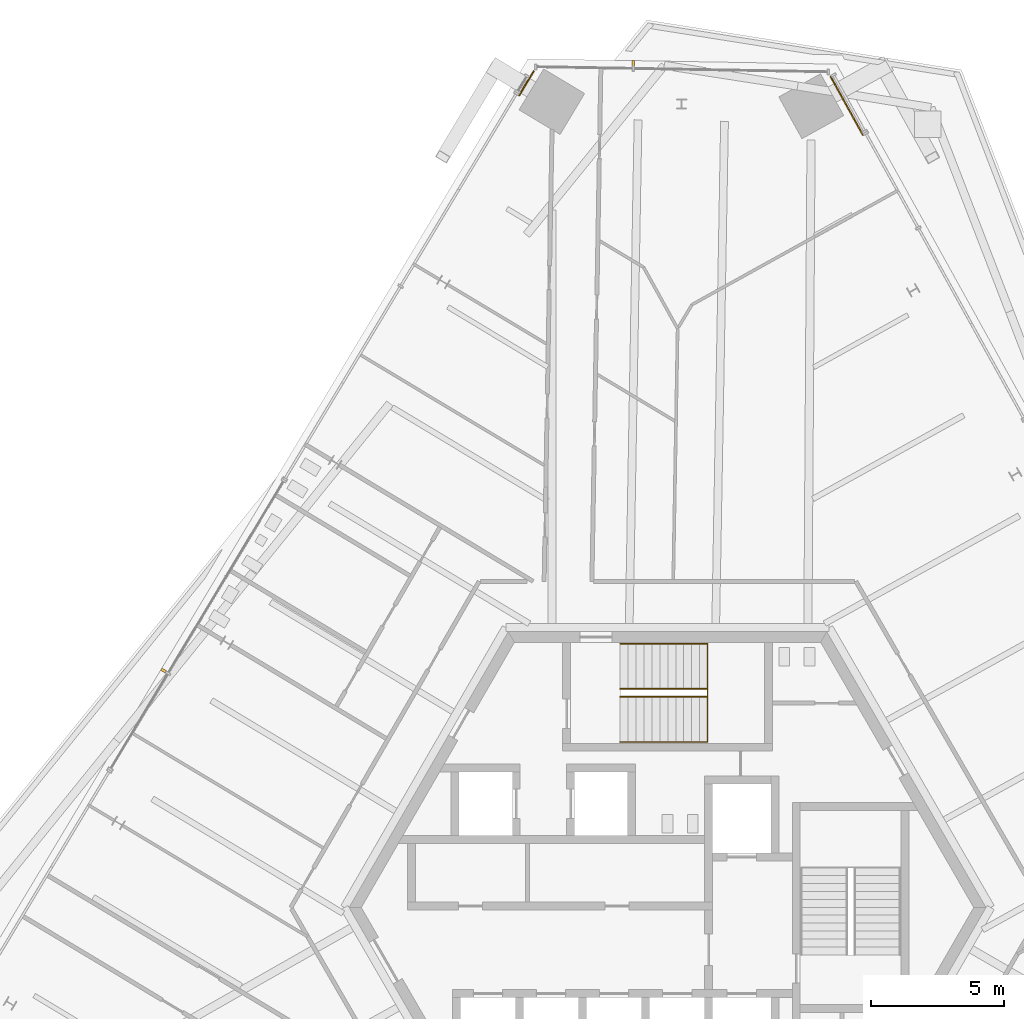
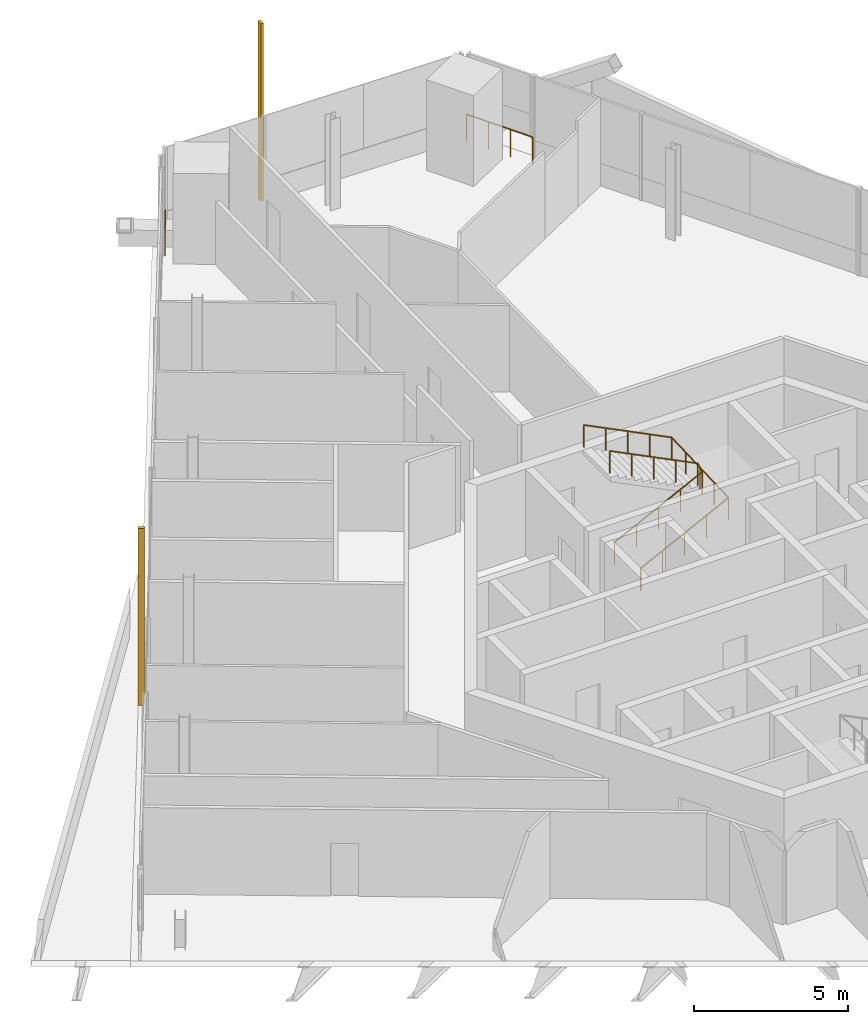
# One storey, part 21 of 22: 4 railings, 2 shading devices.
"""IFC4 building model written with IfcOpenShell, lengths in metres."""

from ifc_helpers import new_model, si_unit, direction, frame, origin, origin_2d, place, context, subcontext, project, spatial, rectangle, circle, extrude, source, transform, mapped, material, type_object, element, save


model = new_model("IFC4")

# Units and contexts
model_context = context("Model", 3, precision=1e-05, world=origin(), true_north=direction((0.0, 1.0)))
body_context = subcontext(model_context, "Body", "Model", "MODEL_VIEW")
ifc_project = project(units=[si_unit("LENGTHUNIT", "METRE"), si_unit("AREAUNIT", "SQUARE_METRE"), si_unit("VOLUMEUNIT", "CUBIC_METRE"), si_unit("PLANEANGLEUNIT", "RADIAN"), si_unit("MASSUNIT", "GRAM", prefix="KILO")], contexts=[model_context])

# Site, building, storey
site_placement = place(None, origin())
site = spatial("IfcSite", under=ifc_project, at=site_placement, CompositionType="ELEMENT")
building_placement = place(site_placement, origin())
building = spatial("IfcBuilding", under=site, at=building_placement, Name="Triune Harvest Tower", CompositionType="ELEMENT")
storey_placement = place(building_placement, frame((0.0, 0.0, 179.89990234375)))
storey = spatial("IfcBuildingStorey", under=building, at=storey_placement, Name="L46", CompositionType="ELEMENT", Elevation=179.89990234375)

# Railings
ifc_material_1 = material(Name="Glass", Category="glass")
railing_type_1 = type_object("IfcRailingType", Name="GD-3 facade guard 1100", PredefinedType="GUARDRAIL", material=ifc_material_1)
railing_1_placement = place(storey_placement, frame((7.3603515625, 29.11572265625, 0.0)))
element("IfcRailing", 1, at=railing_1_placement, inside=storey, type_object=railing_type_1, Name="Facade guard B5-F1 L46.1.2", PredefinedType="GUARDRAIL", context=body_context, shape_type="SweptSolid", body=[
    extrude(circle(Radius=0.02392578125, at=origin_2d()), frame((0.0, 0.0, 1.076171875), z_axis=(-0.484833134786, 0.874606672404, 0.0), x_axis=(-0.874606672404, -0.484833134786, 0.0)), (0.0, 0.0, 1.0), 2.50927734375),
    extrude(circle(Radius=0.02099609375, at=origin_2d()), origin(), (0.0, 0.0, 1.0), 1.052001953125),
    extrude(circle(Radius=0.02099609375, at=origin_2d()), frame((-0.405517578125, 0.7314453125, 0.0)), (0.0, 0.0, 1.0), 1.052001953125),
    extrude(circle(Radius=0.02099609375, at=origin_2d()), frame((-0.81103515625, 1.463134765625, 0.0)), (0.0, 0.0, 1.0), 1.052001953125),
    extrude(circle(Radius=0.02099609375, at=origin_2d()), frame((-1.216552734375, 2.194580078125, 0.0)), (0.0, 0.0, 1.0), 1.052001953125),
])
ifc_material_2 = material(Name="Stainless steel AISI 316", Category="steel")
railing_type_2 = type_object("IfcRailingType", Name="Stair handrail", PredefinedType="HANDRAIL", material=ifc_material_2)
shared_shape_1 = source(origin(), body_context, "Body", "SweptSolid", [
    extrude(circle(Radius=0.02392578125, at=origin_2d()), frame((0.0, 0.0, 0.8759765625), z_axis=(0.894440424912, 0.0, 0.447187126696), x_axis=(0.0, 1.0, 0.0)), (0.0, 0.0, 1.0), 3.689453125),
    extrude(circle(Radius=0.02392578125, at=origin_2d()), frame((3.300048828125, 0.0, 2.52587890625), z_axis=(0.0, 0.999177620331, 0.040547293732), x_axis=(-1.0, 0.0, 0.0)), (0.0, 0.0, 1.0), 3.702880859375),
    extrude(circle(Radius=0.02392578125, at=origin_2d()), frame((3.300048828125, 3.699951171875, 2.67578125), z_axis=(-0.894440424912, 0.0, 0.447187126696), x_axis=(0.0, -1.0, 0.0)), (0.0, 0.0, 1.0), 3.689453125),
    extrude(circle(Radius=0.02099609375, at=origin_2d()), origin(), (0.0, 0.0, 1.0), 0.851806640625),
    extrude(circle(Radius=0.02099609375, at=origin_2d()), frame((0.824951171875, 0.0, 0.41259765625)), (0.0, 0.0, 1.0), 0.851806640625),
    extrude(circle(Radius=0.02099609375, at=origin_2d()), frame((1.64990234375, 0.0, 0.824951171875)), (0.0, 0.0, 1.0), 0.851806640625),
    extrude(circle(Radius=0.02099609375, at=origin_2d()), frame((2.47509765625, 0.0, 1.2373046875)), (0.0, 0.0, 1.0), 0.851806640625),
    extrude(circle(Radius=0.02099609375, at=origin_2d()), frame((3.300048828125, 0.0, 1.64990234375)), (0.0, 0.0, 1.0), 0.851806640625),
    extrude(circle(Radius=0.02099609375, at=origin_2d()), frame((3.300048828125, 0.925048828125, 1.6875)), (0.0, 0.0, 1.0), 0.851806640625),
    extrude(circle(Radius=0.02099609375, at=origin_2d()), frame((3.300048828125, 1.85009765625, 1.72509765625)), (0.0, 0.0, 1.0), 0.851806640625),
    extrude(circle(Radius=0.02099609375, at=origin_2d()), frame((3.300048828125, 2.77490234375, 1.762451171875)), (0.0, 0.0, 1.0), 0.851806640625),
    extrude(circle(Radius=0.02099609375, at=origin_2d()), frame((3.300048828125, 3.699951171875, 1.800048828125)), (0.0, 0.0, 1.0), 0.851806640625),
    extrude(circle(Radius=0.02099609375, at=origin_2d()), frame((2.47509765625, 3.699951171875, 2.21240234375)), (0.0, 0.0, 1.0), 0.851806640625),
    extrude(circle(Radius=0.02099609375, at=origin_2d()), frame((1.64990234375, 3.699951171875, 2.625)), (0.0, 0.0, 1.0), 0.851806640625),
    extrude(circle(Radius=0.02099609375, at=origin_2d()), frame((0.824951171875, 3.699951171875, 3.03759765625)), (0.0, 0.0, 1.0), 0.851806640625),
    extrude(circle(Radius=0.02099609375, at=origin_2d()), frame((0.0, 3.699951171875, 3.449951171875)), (0.0, 0.0, 1.0), 0.851806640625),
])
railing_2_placement = place(storey_placement, frame((-1.7900390625, 6.239990234375, 0.150146484375)))
element("IfcRailing", 2, at=railing_2_placement, inside=storey, type_object=railing_type_2, Name="Exit stair north wall handrail", PredefinedType="HANDRAIL", context=body_context, shape_type="MappedRepresentation", body=[
    mapped(shared_shape_1, transform((0.0, 0.0, 0.0), scale=1.0)),
])
shared_shape_2 = source(origin(), body_context, "Body", "SweptSolid", [
    extrude(circle(Radius=0.02392578125, at=origin_2d()), frame((0.0, 0.0, 0.8759765625), z_axis=(0.894440424912, 0.0, 0.447187126696), x_axis=(0.0, 1.0, 0.0)), (0.0, 0.0, 1.0), 3.689453125),
    extrude(circle(Radius=0.02392578125, at=origin_2d()), frame((3.300048828125, 0.0, 2.52587890625), z_axis=(0.0, 0.894281613681, 0.447504631744), x_axis=(-1.0, 0.0, 0.0)), (0.0, 0.0, 1.0), 0.33544921875),
    extrude(circle(Radius=0.02392578125, at=origin_2d()), frame((3.300048828125, 0.300048828125, 2.67578125), z_axis=(-0.894440424912, 0.0, 0.447187126696), x_axis=(0.0, -1.0, 0.0)), (0.0, 0.0, 1.0), 3.689453125),
    extrude(circle(Radius=0.02099609375, at=origin_2d()), origin(), (0.0, 0.0, 1.0), 0.851806640625),
    extrude(circle(Radius=0.02099609375, at=origin_2d()), frame((0.824951171875, 0.0, 0.41259765625)), (0.0, 0.0, 1.0), 0.851806640625),
    extrude(circle(Radius=0.02099609375, at=origin_2d()), frame((1.64990234375, 0.0, 0.824951171875)), (0.0, 0.0, 1.0), 0.851806640625),
    extrude(circle(Radius=0.02099609375, at=origin_2d()), frame((2.47509765625, 0.0, 1.2373046875)), (0.0, 0.0, 1.0), 0.851806640625),
    extrude(circle(Radius=0.02099609375, at=origin_2d()), frame((3.300048828125, 0.0, 1.64990234375)), (0.0, 0.0, 1.0), 0.851806640625),
    extrude(circle(Radius=0.02099609375, at=origin_2d()), frame((3.300048828125, 0.300048828125, 1.800048828125)), (0.0, 0.0, 1.0), 0.851806640625),
    extrude(circle(Radius=0.02099609375, at=origin_2d()), frame((2.47509765625, 0.300048828125, 2.21240234375)), (0.0, 0.0, 1.0), 0.851806640625),
    extrude(circle(Radius=0.02099609375, at=origin_2d()), frame((1.64990234375, 0.300048828125, 2.625)), (0.0, 0.0, 1.0), 0.851806640625),
    extrude(circle(Radius=0.02099609375, at=origin_2d()), frame((0.824951171875, 0.300048828125, 3.03759765625)), (0.0, 0.0, 1.0), 0.851806640625),
    extrude(circle(Radius=0.02099609375, at=origin_2d()), frame((0.0, 0.300048828125, 3.449951171875)), (0.0, 0.0, 1.0), 0.851806640625),
])
railing_3_placement = place(storey_placement, frame((-1.7900390625, 7.93994140625, 0.150146484375)))
element("IfcRailing", 3, at=railing_3_placement, inside=storey, type_object=railing_type_2, Name="Exit stair north centre handrail", PredefinedType="HANDRAIL", context=body_context, shape_type="MappedRepresentation", body=[
    mapped(shared_shape_2, transform((0.0, 0.0, 0.0), scale=1.0)),
])

# Shading devices
ifc_material_3 = material(Name="Aluminium bronze anodised", Category="aluminium")
shared_shape_3 = source(origin(), body_context, "Body", "SweptSolid", [
    extrude(rectangle(XDim=0.10009765625, YDim=0.199951171875, at=origin_2d()), origin(), (0.0, 0.0, 1.0), 7.0400390625),
])
for number, where, z_axis, x_axis, name in (
    (4, (-1.295166015625, 31.8125, 0.0), (0.0, 0.0, 1.0), (-0.999847801404, 0.017446318452, 0.0), "FN-1 fin B5-F2.3 L46"),
    (5, (-18.99072265625, 8.92919921875, 0.0), (0.0, 0.0, 1.0), (-0.515036632219, -0.857168167557, 0.0), "FN-1 fin B5-F3.7 L46"),
):
    element("IfcShadingDevice", number, at=place(storey_placement, frame(where, z_axis=z_axis, x_axis=x_axis)), inside=storey, material=ifc_material_3, Name=name, ObjectType="FIN", PredefinedType="USERDEFINED", context=body_context, shape_type="MappedRepresentation", body=[
        mapped(shared_shape_3, transform((0.0, 0.0, 0.0), scale=1.0)),
    ])

# Railing
shared_shape_4 = source(origin(), body_context, "Body", "SweptSolid", [
    extrude(circle(Radius=0.02392578125, at=origin_2d()), frame((0.0, 0.0, 1.076171875), z_axis=(-0.515010179054, -0.857184061605, 0.0), x_axis=(0.857184061605, -0.515010179054, 0.0)), (0.0, 0.0, 1.0), 1.046630859375),
    extrude(circle(Radius=0.02099609375, at=origin_2d()), origin(), (0.0, 0.0, 1.0), 1.052001953125),
    extrude(circle(Radius=0.02099609375, at=origin_2d()), frame((-0.5390625, -0.897216796875, 0.0)), (0.0, 0.0, 1.0), 1.052001953125),
])
railing_4_placement = place(storey_placement, frame((-5.047607421875, 31.505615234375, 0.0)))
element("IfcRailing", 6, at=railing_4_placement, inside=storey, type_object=railing_type_1, Name="Facade guard B5-F3 L46.1.1", PredefinedType="GUARDRAIL", context=body_context, shape_type="MappedRepresentation", body=[
    mapped(shared_shape_4, transform((0.0, 0.0, 0.0), scale=1.0)),
])

save(model, "model.ifc")
